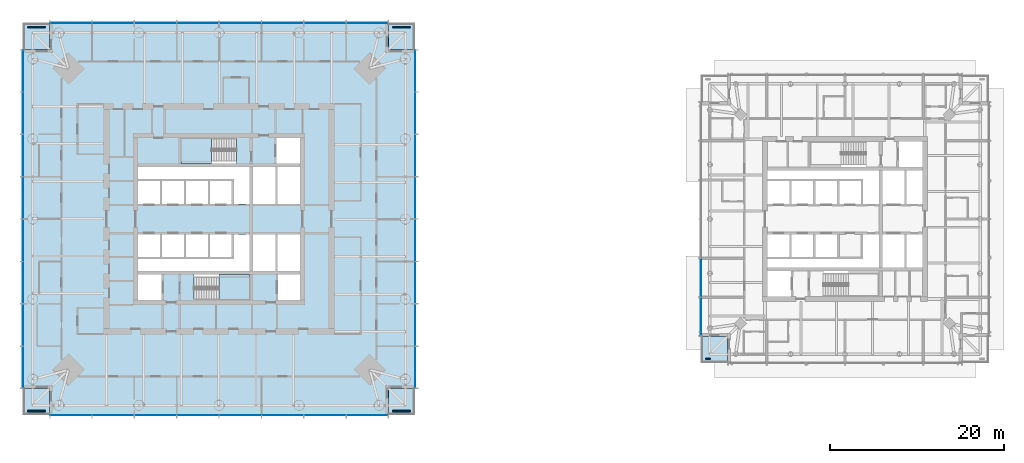
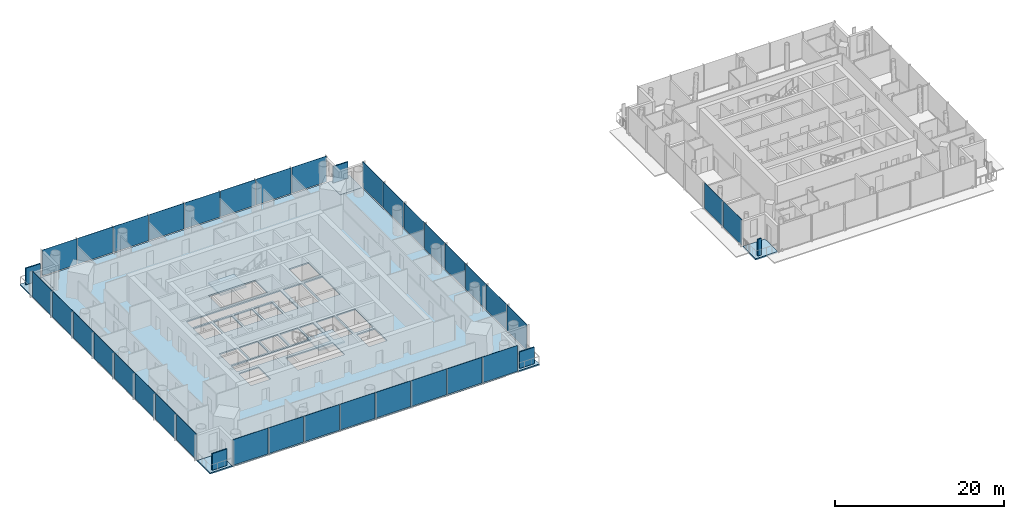
# One storey, part 6 of 20: 39 plates, 8 slabs, 7 elements without a shape of their own.
"""IFC4 building model written with IfcOpenShell, lengths in metres."""

from ifc_helpers import new_model, si_unit, direction, frame, origin, origin_2d, place, context, subcontext, project, spatial, polyline, rectangle, outline, extrude, material, layer, layer_set, type_object, element, aggregate, save


model = new_model("IFC4")

# Units and contexts
model_context = context("Model", 3, precision=1e-05, world=origin(), true_north=direction((0.0, 1.0)))
body_context = subcontext(model_context, "Body", "Model", "MODEL_VIEW")
ifc_project = project(units=[si_unit("LENGTHUNIT", "METRE"), si_unit("AREAUNIT", "SQUARE_METRE"), si_unit("VOLUMEUNIT", "CUBIC_METRE"), si_unit("PLANEANGLEUNIT", "RADIAN"), si_unit("MASSUNIT", "GRAM", prefix="KILO")], contexts=[model_context])

# Site, building, storey
site_placement = place(None, origin())
site = spatial("IfcSite", under=ifc_project, at=site_placement, CompositionType="ELEMENT")
building_placement = place(site_placement, origin())
building = spatial("IfcBuilding", under=site, at=building_placement, Name="Ostroluk Exchange", CompositionType="ELEMENT")
storey_placement = place(building_placement, frame((0.0, 0.0, 100.800048828125)))
storey = spatial("IfcBuildingStorey", under=building, at=storey_placement, Name="L25", CompositionType="ELEMENT", Elevation=100.800048828125)

# Curtain wall, plates
ifc_material_1 = material(Name="Laminated clear glass", Category="glass")
curtain_wall_type_1 = type_object("IfcCurtainWallType", Name="Hotel guest floor facade", PredefinedType="USERDEFINED", material=ifc_material_1)
curtain_wall_1_placement = place(storey_placement, origin())
curtain_wall_1 = element("IfcCurtainWall", 1, at=curtain_wall_1_placement, inside=storey, type_object=curtain_wall_type_1, Name="Hotel tower west facade L25", ObjectType="UNITISED CURTAIN WALL", PredefinedType="USERDEFINED")
ifc_material_2 = material(Name="Laminated clear glass", Category="glass")
ifc_layer_1 = layer(ifc_material_2, 0.0400390625)
ifc_layer_set_1 = layer_set([ifc_layer_1], Name="Acoustic laminated glazing 40")
plate_type_1 = type_object("IfcPlateType", Name="Acoustic laminated glazing 40", PredefinedType="CURTAIN_PANEL", material=ifc_layer_set_1)
plate_1_placement = place(storey_placement, frame((100.425048828125, 39.25, 0.080078125), z_axis=(0.0, 0.0, 1.0), x_axis=(0.0, -1.0, 0.0)))
plate_1 = element("IfcPlate", 2, at=plate_1_placement, type_object=plate_type_1, Name="CW-H1 panel 5.1", PredefinedType="CURTAIN_PANEL", context=body_context, shape_type="SweptSolid", body=[
    extrude(rectangle(XDim=4.419921875, YDim=0.0400390625, at=origin_2d()), origin(), (0.0, 0.0, 1.0), 3.719970703125),
])
plate_2_placement = place(storey_placement, frame((100.425048828125, 34.77001953125, 0.080078125), z_axis=(0.0, 0.0, 1.0), x_axis=(0.0, -1.0, 0.0)))
plate_2 = element("IfcPlate", 3, at=plate_2_placement, type_object=plate_type_1, Name="CW-H1 panel 6.1", PredefinedType="CURTAIN_PANEL", context=body_context, shape_type="SweptSolid", body=[
    extrude(rectangle(XDim=4.3798828125, YDim=0.0400390625, at=origin_2d()), origin(), (0.0, 0.0, 1.0), 3.719970703125),
])
aggregate(curtain_wall_1, [plate_1, plate_2])

# Slabs
ifc_material_3 = material(Name="Concrete C35/45", Category="concrete")
ifc_layer_2 = layer(ifc_material_3, 0.179931640625)
ifc_layer_set_2 = layer_set([ifc_layer_2], Name="Balcony slab 180")
slab_type_1 = type_object("IfcSlabType", Name="Balcony slab 180", PredefinedType="USERDEFINED", material=ifc_layer_set_2)
slab_1_placement = place(storey_placement, frame((0.0, 0.0, -0.179931640625)))
element("IfcSlab", 4, at=slab_1_placement, inside=storey, type_object=slab_type_1, Name="Office tower SE corner balcony L25", ObjectType="BALCONY", PredefinedType="USERDEFINED", context=body_context, shape_type="SweptSolid", body=[
    extrude(outline(polyline([(64.5, 23.5), (67.5, 23.5), (67.5, 26.5), (64.5, 26.5), (64.5, 23.5)])), origin(), (0.0, 0.0, 1.0), 0.179931640625),
])
slab_2_placement = place(storey_placement, frame((0.0, 0.0, -0.179931640625)))
element("IfcSlab", 5, at=slab_2_placement, inside=storey, type_object=slab_type_1, Name="Office tower NE corner balcony L25", ObjectType="BALCONY", PredefinedType="USERDEFINED", context=body_context, shape_type="SweptSolid", body=[
    extrude(outline(polyline([(64.5, 65.5), (67.5, 65.5), (67.5, 68.5), (64.5, 68.5), (64.5, 65.5)])), origin(), (0.0, 0.0, 1.0), 0.179931640625),
])
slab_3_placement = place(storey_placement, frame((0.0, 0.0, -0.179931640625)))
element("IfcSlab", 6, at=slab_3_placement, inside=storey, type_object=slab_type_1, Name="Office tower NW corner balcony L25", ObjectType="BALCONY", PredefinedType="USERDEFINED", context=body_context, shape_type="SweptSolid", body=[
    extrude(outline(polyline([(22.5, 65.5), (25.5, 65.5), (25.5, 68.5), (22.5, 68.5), (22.5, 65.5)])), origin(), (0.0, 0.0, 1.0), 0.179931640625),
])
slab_4_placement = place(storey_placement, frame((0.0, 0.0, -0.179931640625)))
element("IfcSlab", 7, at=slab_4_placement, inside=storey, type_object=slab_type_1, Name="Office tower SW corner balcony L25", ObjectType="BALCONY", PredefinedType="USERDEFINED", context=body_context, shape_type="SweptSolid", body=[
    extrude(outline(polyline([(22.5, 23.5), (25.5, 23.5), (25.5, 26.5), (22.5, 26.5), (22.5, 23.5)])), origin(), (0.0, 0.0, 1.0), 0.179931640625),
])
ifc_material_4 = material(Name="Concrete C35/45", Category="concrete")
ifc_layer_3 = layer(ifc_material_4, 0.199951171875)
ifc_layer_set_3 = layer_set([ifc_layer_3], Name="Balcony slab 200")
slab_type_2 = type_object("IfcSlabType", Name="Balcony slab 200", PredefinedType="USERDEFINED", material=ifc_layer_set_3)
slab_5_placement = place(storey_placement, frame((0.0, 0.0, -0.199951171875)))
element("IfcSlab", 8, at=slab_5_placement, inside=storey, type_object=slab_type_2, Name="Hotel tower SW corner balcony L25", ObjectType="BALCONY", PredefinedType="USERDEFINED", context=body_context, shape_type="SweptSolid", body=[
    extrude(outline(polyline([(100.5, 29.5), (103.5, 29.5), (103.5, 32.5), (100.5, 32.5), (100.5, 29.5)])), origin(), (0.0, 0.0, 1.0), 0.199951171875),
])

# Plates
ifc_material_5 = material(Name="Steel S355 trellis with planting", Category="steel")
ifc_layer_4 = layer(ifc_material_5, 0.14990234375)
ifc_layer_set_4 = layer_set([ifc_layer_4], Name="Planted screen 150")
plate_type_2 = type_object("IfcPlateType", Name="Planted screen 150", PredefinedType="USERDEFINED", material=ifc_layer_set_4)
for number, where, z_axis, x_axis, name in (
    (9, (66.0, 23.925048828125, 0.0), (0.0, 0.0, 1.0), (1.0, 0.0, 0.0), "Office tower SE planted screen L25"),
    (10, (66.0, 68.074951171875, 0.0), (0.0, 0.0, 1.0), (1.0, 0.0, 0.0), "Office tower NE planted screen L25"),
    (11, (24.0, 68.074951171875, 0.0), (0.0, 0.0, 1.0), (1.0, 0.0, 0.0), "Office tower NW planted screen L25"),
    (12, (24.0, 23.925048828125, 0.0), (0.0, 0.0, 1.0), (1.0, 0.0, 0.0), "Office tower SW planted screen L25"),
):
    element("IfcPlate", number, at=place(storey_placement, frame(where, z_axis=z_axis, x_axis=x_axis)), inside=storey, type_object=plate_type_2, Name=name, ObjectType="PLANTED SCREEN", PredefinedType="USERDEFINED", context=body_context, shape_type="SweptSolid", body=[
        extrude(rectangle(XDim=2.0, YDim=0.14990234375, at=origin_2d()), origin(), (0.0, 0.0, 1.0), 2.39990234375),
    ])
plate_3_placement = place(storey_placement, frame((101.25, 29.925048828125, 0.0), z_axis=(0.0, 0.0, 1.0), x_axis=(1.0, 0.0, 0.0)))
element("IfcPlate", 13, at=plate_3_placement, inside=storey, type_object=plate_type_2, Name="Hotel tower SW planted screen L25", ObjectType="PLANTED SCREEN", PredefinedType="USERDEFINED", context=body_context, shape_type="SweptSolid", body=[
    extrude(rectangle(XDim=0.5, YDim=0.14990234375, at=origin_2d()), origin(), (0.0, 0.0, 1.0), 2.39990234375),
])

# Stair, slab
ifc_material_6 = material(Name="Concrete C30/37", Category="concrete")
stair_type = type_object("IfcStairType", Name="Exit stair half turn 3800", PredefinedType="HALF_TURN_STAIR", material=ifc_material_6)
stair_1_placement = place(storey_placement, origin())
stair_1 = element("IfcStair", 14, at=stair_1_placement, inside=storey, type_object=stair_type, Name="Stair T1-S1 L25", PredefinedType="HALF_TURN_STAIR")
ifc_material_7 = material(Name="Concrete C30/37", Category="concrete")
ifc_layer_5 = layer(ifc_material_7, 0.199951171875)
ifc_layer_set_5 = layer_set([ifc_layer_5], Name="Stair landing 200")
slab_type_3 = type_object("IfcSlabType", Name="Stair landing 200", PredefinedType="LANDING", material=ifc_layer_set_5)
slab_6_placement = place(storey_placement, frame((0.0, 0.0, 1.699951171875)))
slab_6 = element("IfcSlab", 15, at=slab_6_placement, type_object=slab_type_3, Name="T1-S1 landing 1", PredefinedType="LANDING", context=body_context, shape_type="SweptSolid", body=[
    extrude(outline(polyline([(45.0, 36.699951171875), (45.0, 39.60009765625), (48.530029296875, 39.60009765625), (48.530029296875, 36.699951171875), (45.0, 36.699951171875)])), origin(), (0.0, 0.0, 1.0), 0.199951171875),
])
aggregate(stair_1, [slab_6])

stair_2_placement = place(storey_placement, origin())
stair_2 = element("IfcStair", 16, at=stair_2_placement, inside=storey, type_object=stair_type, Name="Stair T1-S2 L25", PredefinedType="HALF_TURN_STAIR")
slab_7_placement = place(storey_placement, frame((0.0, 0.0, 1.699951171875)))
slab_7 = element("IfcSlab", 17, at=slab_7_placement, type_object=slab_type_3, Name="T1-S2 landing 1", PredefinedType="LANDING", context=body_context, shape_type="SweptSolid", body=[
    extrude(outline(polyline([(44.1298828125, 52.39990234375), (44.1298828125, 55.300048828125), (40.60009765625, 55.300048828125), (40.60009765625, 52.39990234375), (44.1298828125, 52.39990234375)])), origin(), (0.0, 0.0, 1.0), 0.199951171875),
])
aggregate(stair_2, [slab_7])

# Slab
ifc_material_8 = material(Name="Concrete C35/45", Category="concrete")
ifc_layer_6 = layer(ifc_material_8, 0.179931640625)
ifc_layer_set_6 = layer_set([ifc_layer_6], Name="Tower floor slab 180 composite")
slab_type_4 = type_object("IfcSlabType", Name="Tower floor slab 180 composite", PredefinedType="FLOOR", material=ifc_layer_set_6)
slab_8_placement = place(storey_placement, frame((0.0, 0.0, -0.179931640625)))
element("IfcSlab", 18, at=slab_8_placement, inside=storey, type_object=slab_type_4, Name="Office tower floor slab L25", PredefinedType="FLOOR", context=body_context, shape_type="SweptSolid", body=[
    extrude(outline(polyline([(25.5, 23.5), (64.5, 23.5), (64.5, 26.5), (67.5, 26.5), (67.5, 65.5), (64.5, 65.5), (64.5, 68.5), (25.5, 68.5), (25.5, 65.5), (22.5, 65.5), (22.5, 26.5), (25.5, 26.5), (25.5, 23.5)]), holes=[polyline([(35.699951171875, 36.699951171875), (38.39990234375, 36.699951171875), (38.39990234375, 39.60009765625), (35.699951171875, 39.60009765625), (35.699951171875, 36.699951171875)]), polyline([(42.110107421875, 36.699951171875), (48.530029296875, 36.699951171875), (48.530029296875, 39.60009765625), (42.110107421875, 39.60009765625), (42.110107421875, 36.699951171875)]), polyline([(51.800048828125, 36.699951171875), (54.300048828125, 36.699951171875), (54.300048828125, 39.60009765625), (51.800048828125, 39.60009765625), (51.800048828125, 36.699951171875)]), polyline([(40.60009765625, 52.39990234375), (47.02001953125, 52.39990234375), (47.02001953125, 55.300048828125), (40.60009765625, 55.300048828125), (40.60009765625, 52.39990234375)]), polyline([(51.60009765625, 52.39990234375), (54.300048828125, 52.39990234375), (54.300048828125, 55.300048828125), (51.60009765625, 55.300048828125), (51.60009765625, 52.39990234375)]), polyline([(35.699951171875, 47.75), (38.199951171875, 47.75), (38.199951171875, 50.35009765625), (35.699951171875, 50.35009765625), (35.699951171875, 47.75)]), polyline([(38.449951171875, 47.75), (40.949951171875, 47.75), (40.949951171875, 50.35009765625), (38.449951171875, 50.35009765625), (38.449951171875, 47.75)]), polyline([(41.199951171875, 47.75), (43.699951171875, 47.75), (43.699951171875, 50.35009765625), (41.199951171875, 50.35009765625), (41.199951171875, 47.75)]), polyline([(43.949951171875, 47.75), (46.449951171875, 47.75), (46.449951171875, 50.35009765625), (43.949951171875, 50.35009765625), (43.949951171875, 47.75)]), polyline([(35.699951171875, 41.64990234375), (38.199951171875, 41.64990234375), (38.199951171875, 44.25), (35.699951171875, 44.25), (35.699951171875, 41.64990234375)]), polyline([(38.449951171875, 41.64990234375), (40.949951171875, 41.64990234375), (40.949951171875, 44.25), (38.449951171875, 44.25), (38.449951171875, 41.64990234375)]), polyline([(41.199951171875, 41.64990234375), (43.699951171875, 41.64990234375), (43.699951171875, 44.25), (41.199951171875, 44.25), (41.199951171875, 41.64990234375)]), polyline([(43.949951171875, 41.64990234375), (46.449951171875, 41.64990234375), (46.449951171875, 44.25), (43.949951171875, 44.25), (43.949951171875, 41.64990234375)]), polyline([(48.929931640625, 47.75), (51.489990234375, 47.75), (51.489990234375, 52.0), (48.929931640625, 52.0), (48.929931640625, 47.75)]), polyline([(51.739990234375, 47.75), (54.300048828125, 47.75), (54.300048828125, 52.0), (51.739990234375, 52.0), (51.739990234375, 47.75)]), polyline([(48.929931640625, 40.0), (51.489990234375, 40.0), (51.489990234375, 44.25), (48.929931640625, 44.25), (48.929931640625, 40.0)]), polyline([(51.739990234375, 40.0), (54.300048828125, 40.0), (54.300048828125, 44.25), (51.739990234375, 44.25), (51.739990234375, 40.0)]), polyline([(48.530029296875, 52.0), (48.530029296875, 47.75), (46.699951171875, 47.75), (46.699951171875, 50.60009765625), (35.699951171875, 50.60009765625), (35.699951171875, 52.0), (48.530029296875, 52.0)]), polyline([(35.699951171875, 40.0), (35.699951171875, 41.39990234375), (46.699951171875, 41.39990234375), (46.699951171875, 44.25), (48.530029296875, 44.25), (48.530029296875, 40.0), (35.699951171875, 40.0)])]), origin(), (0.0, 0.0, 1.0), 0.179931640625),
])

# Curtain wall, plates
ifc_material_9 = material(Name="Laminated clear glass", Category="glass")
curtain_wall_type_2 = type_object("IfcCurtainWallType", Name="Office tower facade", PredefinedType="USERDEFINED", material=ifc_material_9)
curtain_wall_2_placement = place(storey_placement, origin())
curtain_wall_2 = element("IfcCurtainWall", 19, at=curtain_wall_2_placement, inside=storey, type_object=curtain_wall_type_2, Name="Office tower south facade L25", ObjectType="UNITISED CURTAIN WALL", PredefinedType="USERDEFINED")
ifc_material_10 = material(Name="Laminated clear glass", Category="glass")
ifc_layer_7 = layer(ifc_material_10, 0.0439453125)
ifc_layer_set_7 = layer_set([ifc_layer_7], Name="Triple laminated clear glazing 44")
plate_type_3 = type_object("IfcPlateType", Name="Triple laminated clear glazing 44", PredefinedType="CURTAIN_PANEL", material=ifc_layer_set_7)
plate_4_placement = place(storey_placement, frame((27.95751953125, 23.425048828125, 0.080078125), z_axis=(0.0, 0.0, 1.0), x_axis=(1.0, 0.0, 0.0)))
plate_4 = element("IfcPlate", 20, at=plate_4_placement, type_object=plate_type_3, Name="CW-O1 panel 1.1", PredefinedType="CURTAIN_PANEL", context=body_context, shape_type="SweptSolid", body=[
    extrude(rectangle(XDim=4.7548828125, YDim=0.0439453125, at=origin_2d()), origin(), (0.0, 0.0, 1.0), 3.719970703125),
])
plate_5_placement = place(storey_placement, frame((32.8125, 23.425048828125, 0.080078125), z_axis=(0.0, 0.0, 1.0), x_axis=(1.0, 0.0, 0.0)))
plate_5 = element("IfcPlate", 21, at=plate_5_placement, type_object=plate_type_3, Name="CW-O1 panel 2.1", PredefinedType="CURTAIN_PANEL", context=body_context, shape_type="SweptSolid", body=[
    extrude(rectangle(XDim=4.794921875, YDim=0.0439453125, at=origin_2d()), origin(), (0.0, 0.0, 1.0), 3.719970703125),
])
plate_6_placement = place(storey_placement, frame((37.6875, 23.425048828125, 0.080078125), z_axis=(0.0, 0.0, 1.0), x_axis=(1.0, 0.0, 0.0)))
plate_6 = element("IfcPlate", 22, at=plate_6_placement, type_object=plate_type_3, Name="CW-O1 panel 3.1", PredefinedType="CURTAIN_PANEL", context=body_context, shape_type="SweptSolid", body=[
    extrude(rectangle(XDim=4.794921875, YDim=0.0439453125, at=origin_2d()), origin(), (0.0, 0.0, 1.0), 3.719970703125),
])
plate_7_placement = place(storey_placement, frame((42.5625, 23.425048828125, 0.080078125), z_axis=(0.0, 0.0, 1.0), x_axis=(1.0, 0.0, 0.0)))
plate_7 = element("IfcPlate", 23, at=plate_7_placement, type_object=plate_type_3, Name="CW-O1 panel 4.1", PredefinedType="CURTAIN_PANEL", context=body_context, shape_type="SweptSolid", body=[
    extrude(rectangle(XDim=4.794921875, YDim=0.0439453125, at=origin_2d()), origin(), (0.0, 0.0, 1.0), 3.719970703125),
])
plate_8_placement = place(storey_placement, frame((47.4375, 23.425048828125, 0.080078125), z_axis=(0.0, 0.0, 1.0), x_axis=(1.0, 0.0, 0.0)))
plate_8 = element("IfcPlate", 24, at=plate_8_placement, type_object=plate_type_3, Name="CW-O1 panel 5.1", PredefinedType="CURTAIN_PANEL", context=body_context, shape_type="SweptSolid", body=[
    extrude(rectangle(XDim=4.794921875, YDim=0.0439453125, at=origin_2d()), origin(), (0.0, 0.0, 1.0), 3.719970703125),
])
plate_9_placement = place(storey_placement, frame((52.3125, 23.425048828125, 0.080078125), z_axis=(0.0, 0.0, 1.0), x_axis=(1.0, 0.0, 0.0)))
plate_9 = element("IfcPlate", 25, at=plate_9_placement, type_object=plate_type_3, Name="CW-O1 panel 6.1", PredefinedType="CURTAIN_PANEL", context=body_context, shape_type="SweptSolid", body=[
    extrude(rectangle(XDim=4.794921875, YDim=0.0439453125, at=origin_2d()), origin(), (0.0, 0.0, 1.0), 3.719970703125),
])
plate_10_placement = place(storey_placement, frame((57.1875, 23.425048828125, 0.080078125), z_axis=(0.0, 0.0, 1.0), x_axis=(1.0, 0.0, 0.0)))
plate_10 = element("IfcPlate", 26, at=plate_10_placement, type_object=plate_type_3, Name="CW-O1 panel 7.1", PredefinedType="CURTAIN_PANEL", context=body_context, shape_type="SweptSolid", body=[
    extrude(rectangle(XDim=4.794921875, YDim=0.0439453125, at=origin_2d()), origin(), (0.0, 0.0, 1.0), 3.719970703125),
])
plate_11_placement = place(storey_placement, frame((62.04248046875, 23.425048828125, 0.080078125), z_axis=(0.0, 0.0, 1.0), x_axis=(1.0, 0.0, 0.0)))
plate_11 = element("IfcPlate", 27, at=plate_11_placement, type_object=plate_type_3, Name="CW-O1 panel 8.1", PredefinedType="CURTAIN_PANEL", context=body_context, shape_type="SweptSolid", body=[
    extrude(rectangle(XDim=4.7548828125, YDim=0.0439453125, at=origin_2d()), origin(), (0.0, 0.0, 1.0), 3.719970703125),
])
aggregate(curtain_wall_2, [plate_4, plate_5, plate_6, plate_7, plate_8, plate_9, plate_10, plate_11])

curtain_wall_3_placement = place(storey_placement, origin())
curtain_wall_3 = element("IfcCurtainWall", 28, at=curtain_wall_3_placement, inside=storey, type_object=curtain_wall_type_2, Name="Office tower east facade L25", ObjectType="UNITISED CURTAIN WALL", PredefinedType="USERDEFINED")
plate_12_placement = place(storey_placement, frame((67.574951171875, 28.95751953125, 0.080078125), z_axis=(0.0, 0.0, 1.0), x_axis=(0.0, 1.0, 0.0)))
plate_12 = element("IfcPlate", 29, at=plate_12_placement, type_object=plate_type_3, Name="CW-O1 panel 1.1", PredefinedType="CURTAIN_PANEL", context=body_context, shape_type="SweptSolid", body=[
    extrude(rectangle(XDim=4.7548828125, YDim=0.0439453125, at=origin_2d()), origin(), (0.0, 0.0, 1.0), 3.719970703125),
])
plate_13_placement = place(storey_placement, frame((67.574951171875, 33.8125, 0.080078125), z_axis=(0.0, 0.0, 1.0), x_axis=(0.0, 1.0, 0.0)))
plate_13 = element("IfcPlate", 30, at=plate_13_placement, type_object=plate_type_3, Name="CW-O1 panel 2.1", PredefinedType="CURTAIN_PANEL", context=body_context, shape_type="SweptSolid", body=[
    extrude(rectangle(XDim=4.794921875, YDim=0.0439453125, at=origin_2d()), origin(), (0.0, 0.0, 1.0), 3.719970703125),
])
plate_14_placement = place(storey_placement, frame((67.574951171875, 38.6875, 0.080078125), z_axis=(0.0, 0.0, 1.0), x_axis=(0.0, 1.0, 0.0)))
plate_14 = element("IfcPlate", 31, at=plate_14_placement, type_object=plate_type_3, Name="CW-O1 panel 3.1", PredefinedType="CURTAIN_PANEL", context=body_context, shape_type="SweptSolid", body=[
    extrude(rectangle(XDim=4.794921875, YDim=0.0439453125, at=origin_2d()), origin(), (0.0, 0.0, 1.0), 3.719970703125),
])
plate_15_placement = place(storey_placement, frame((67.574951171875, 43.5625, 0.080078125), z_axis=(0.0, 0.0, 1.0), x_axis=(0.0, 1.0, 0.0)))
plate_15 = element("IfcPlate", 32, at=plate_15_placement, type_object=plate_type_3, Name="CW-O1 panel 4.1", PredefinedType="CURTAIN_PANEL", context=body_context, shape_type="SweptSolid", body=[
    extrude(rectangle(XDim=4.794921875, YDim=0.0439453125, at=origin_2d()), origin(), (0.0, 0.0, 1.0), 3.719970703125),
])
plate_16_placement = place(storey_placement, frame((67.574951171875, 48.4375, 0.080078125), z_axis=(0.0, 0.0, 1.0), x_axis=(0.0, 1.0, 0.0)))
plate_16 = element("IfcPlate", 33, at=plate_16_placement, type_object=plate_type_3, Name="CW-O1 panel 5.1", PredefinedType="CURTAIN_PANEL", context=body_context, shape_type="SweptSolid", body=[
    extrude(rectangle(XDim=4.794921875, YDim=0.0439453125, at=origin_2d()), origin(), (0.0, 0.0, 1.0), 3.719970703125),
])
plate_17_placement = place(storey_placement, frame((67.574951171875, 53.3125, 0.080078125), z_axis=(0.0, 0.0, 1.0), x_axis=(0.0, 1.0, 0.0)))
plate_17 = element("IfcPlate", 34, at=plate_17_placement, type_object=plate_type_3, Name="CW-O1 panel 6.1", PredefinedType="CURTAIN_PANEL", context=body_context, shape_type="SweptSolid", body=[
    extrude(rectangle(XDim=4.794921875, YDim=0.0439453125, at=origin_2d()), origin(), (0.0, 0.0, 1.0), 3.719970703125),
])
plate_18_placement = place(storey_placement, frame((67.574951171875, 58.1875, 0.080078125), z_axis=(0.0, 0.0, 1.0), x_axis=(0.0, 1.0, 0.0)))
plate_18 = element("IfcPlate", 35, at=plate_18_placement, type_object=plate_type_3, Name="CW-O1 panel 7.1", PredefinedType="CURTAIN_PANEL", context=body_context, shape_type="SweptSolid", body=[
    extrude(rectangle(XDim=4.794921875, YDim=0.0439453125, at=origin_2d()), origin(), (0.0, 0.0, 1.0), 3.719970703125),
])
plate_19_placement = place(storey_placement, frame((67.574951171875, 63.04248046875, 0.080078125), z_axis=(0.0, 0.0, 1.0), x_axis=(0.0, 1.0, 0.0)))
plate_19 = element("IfcPlate", 36, at=plate_19_placement, type_object=plate_type_3, Name="CW-O1 panel 8.1", PredefinedType="CURTAIN_PANEL", context=body_context, shape_type="SweptSolid", body=[
    extrude(rectangle(XDim=4.7548828125, YDim=0.0439453125, at=origin_2d()), origin(), (0.0, 0.0, 1.0), 3.719970703125),
])
aggregate(curtain_wall_3, [plate_12, plate_13, plate_14, plate_15, plate_16, plate_17, plate_18, plate_19])

curtain_wall_4_placement = place(storey_placement, origin())
curtain_wall_4 = element("IfcCurtainWall", 37, at=curtain_wall_4_placement, inside=storey, type_object=curtain_wall_type_2, Name="Office tower north facade L25", ObjectType="UNITISED CURTAIN WALL", PredefinedType="USERDEFINED")
plate_20_placement = place(storey_placement, frame((62.04248046875, 68.574951171875, 0.080078125), z_axis=(0.0, 0.0, 1.0), x_axis=(-1.0, 0.0, 0.0)))
plate_20 = element("IfcPlate", 38, at=plate_20_placement, type_object=plate_type_3, Name="CW-O1 panel 1.1", PredefinedType="CURTAIN_PANEL", context=body_context, shape_type="SweptSolid", body=[
    extrude(rectangle(XDim=4.7548828125, YDim=0.0439453125, at=origin_2d()), origin(), (0.0, 0.0, 1.0), 3.719970703125),
])
plate_21_placement = place(storey_placement, frame((57.1875, 68.574951171875, 0.080078125), z_axis=(0.0, 0.0, 1.0), x_axis=(-1.0, 0.0, 0.0)))
plate_21 = element("IfcPlate", 39, at=plate_21_placement, type_object=plate_type_3, Name="CW-O1 panel 2.1", PredefinedType="CURTAIN_PANEL", context=body_context, shape_type="SweptSolid", body=[
    extrude(rectangle(XDim=4.794921875, YDim=0.0439453125, at=origin_2d()), origin(), (0.0, 0.0, 1.0), 3.719970703125),
])
plate_22_placement = place(storey_placement, frame((52.3125, 68.574951171875, 0.080078125), z_axis=(0.0, 0.0, 1.0), x_axis=(-1.0, 0.0, 0.0)))
plate_22 = element("IfcPlate", 40, at=plate_22_placement, type_object=plate_type_3, Name="CW-O1 panel 3.1", PredefinedType="CURTAIN_PANEL", context=body_context, shape_type="SweptSolid", body=[
    extrude(rectangle(XDim=4.794921875, YDim=0.0439453125, at=origin_2d()), origin(), (0.0, 0.0, 1.0), 3.719970703125),
])
plate_23_placement = place(storey_placement, frame((47.4375, 68.574951171875, 0.080078125), z_axis=(0.0, 0.0, 1.0), x_axis=(-1.0, 0.0, 0.0)))
plate_23 = element("IfcPlate", 41, at=plate_23_placement, type_object=plate_type_3, Name="CW-O1 panel 4.1", PredefinedType="CURTAIN_PANEL", context=body_context, shape_type="SweptSolid", body=[
    extrude(rectangle(XDim=4.794921875, YDim=0.0439453125, at=origin_2d()), origin(), (0.0, 0.0, 1.0), 3.719970703125),
])
plate_24_placement = place(storey_placement, frame((42.5625, 68.574951171875, 0.080078125), z_axis=(0.0, 0.0, 1.0), x_axis=(-1.0, 0.0, 0.0)))
plate_24 = element("IfcPlate", 42, at=plate_24_placement, type_object=plate_type_3, Name="CW-O1 panel 5.1", PredefinedType="CURTAIN_PANEL", context=body_context, shape_type="SweptSolid", body=[
    extrude(rectangle(XDim=4.794921875, YDim=0.0439453125, at=origin_2d()), origin(), (0.0, 0.0, 1.0), 3.719970703125),
])
plate_25_placement = place(storey_placement, frame((37.6875, 68.574951171875, 0.080078125), z_axis=(0.0, 0.0, 1.0), x_axis=(-1.0, 0.0, 0.0)))
plate_25 = element("IfcPlate", 43, at=plate_25_placement, type_object=plate_type_3, Name="CW-O1 panel 6.1", PredefinedType="CURTAIN_PANEL", context=body_context, shape_type="SweptSolid", body=[
    extrude(rectangle(XDim=4.794921875, YDim=0.0439453125, at=origin_2d()), origin(), (0.0, 0.0, 1.0), 3.719970703125),
])
plate_26_placement = place(storey_placement, frame((32.8125, 68.574951171875, 0.080078125), z_axis=(0.0, 0.0, 1.0), x_axis=(-1.0, 0.0, 0.0)))
plate_26 = element("IfcPlate", 44, at=plate_26_placement, type_object=plate_type_3, Name="CW-O1 panel 7.1", PredefinedType="CURTAIN_PANEL", context=body_context, shape_type="SweptSolid", body=[
    extrude(rectangle(XDim=4.794921875, YDim=0.0439453125, at=origin_2d()), origin(), (0.0, 0.0, 1.0), 3.719970703125),
])
plate_27_placement = place(storey_placement, frame((27.95751953125, 68.574951171875, 0.080078125), z_axis=(0.0, 0.0, 1.0), x_axis=(-1.0, 0.0, 0.0)))
plate_27 = element("IfcPlate", 45, at=plate_27_placement, type_object=plate_type_3, Name="CW-O1 panel 8.1", PredefinedType="CURTAIN_PANEL", context=body_context, shape_type="SweptSolid", body=[
    extrude(rectangle(XDim=4.7548828125, YDim=0.0439453125, at=origin_2d()), origin(), (0.0, 0.0, 1.0), 3.719970703125),
])
aggregate(curtain_wall_4, [plate_20, plate_21, plate_22, plate_23, plate_24, plate_25, plate_26, plate_27])

curtain_wall_5_placement = place(storey_placement, origin())
curtain_wall_5 = element("IfcCurtainWall", 46, at=curtain_wall_5_placement, inside=storey, type_object=curtain_wall_type_2, Name="Office tower west facade L25", ObjectType="UNITISED CURTAIN WALL", PredefinedType="USERDEFINED")
plate_28_placement = place(storey_placement, frame((22.425048828125, 63.04248046875, 0.080078125), z_axis=(0.0, 0.0, 1.0), x_axis=(0.0, -1.0, 0.0)))
plate_28 = element("IfcPlate", 47, at=plate_28_placement, type_object=plate_type_3, Name="CW-O1 panel 1.1", PredefinedType="CURTAIN_PANEL", context=body_context, shape_type="SweptSolid", body=[
    extrude(rectangle(XDim=4.7548828125, YDim=0.0439453125, at=origin_2d()), origin(), (0.0, 0.0, 1.0), 3.719970703125),
])
plate_29_placement = place(storey_placement, frame((22.425048828125, 58.1875, 0.080078125), z_axis=(0.0, 0.0, 1.0), x_axis=(0.0, -1.0, 0.0)))
plate_29 = element("IfcPlate", 48, at=plate_29_placement, type_object=plate_type_3, Name="CW-O1 panel 2.1", PredefinedType="CURTAIN_PANEL", context=body_context, shape_type="SweptSolid", body=[
    extrude(rectangle(XDim=4.794921875, YDim=0.0439453125, at=origin_2d()), origin(), (0.0, 0.0, 1.0), 3.719970703125),
])
plate_30_placement = place(storey_placement, frame((22.425048828125, 53.3125, 0.080078125), z_axis=(0.0, 0.0, 1.0), x_axis=(0.0, -1.0, 0.0)))
plate_30 = element("IfcPlate", 49, at=plate_30_placement, type_object=plate_type_3, Name="CW-O1 panel 3.1", PredefinedType="CURTAIN_PANEL", context=body_context, shape_type="SweptSolid", body=[
    extrude(rectangle(XDim=4.794921875, YDim=0.0439453125, at=origin_2d()), origin(), (0.0, 0.0, 1.0), 3.719970703125),
])
plate_31_placement = place(storey_placement, frame((22.425048828125, 48.4375, 0.080078125), z_axis=(0.0, 0.0, 1.0), x_axis=(0.0, -1.0, 0.0)))
plate_31 = element("IfcPlate", 50, at=plate_31_placement, type_object=plate_type_3, Name="CW-O1 panel 4.1", PredefinedType="CURTAIN_PANEL", context=body_context, shape_type="SweptSolid", body=[
    extrude(rectangle(XDim=4.794921875, YDim=0.0439453125, at=origin_2d()), origin(), (0.0, 0.0, 1.0), 3.719970703125),
])
plate_32_placement = place(storey_placement, frame((22.425048828125, 43.5625, 0.080078125), z_axis=(0.0, 0.0, 1.0), x_axis=(0.0, -1.0, 0.0)))
plate_32 = element("IfcPlate", 51, at=plate_32_placement, type_object=plate_type_3, Name="CW-O1 panel 5.1", PredefinedType="CURTAIN_PANEL", context=body_context, shape_type="SweptSolid", body=[
    extrude(rectangle(XDim=4.794921875, YDim=0.0439453125, at=origin_2d()), origin(), (0.0, 0.0, 1.0), 3.719970703125),
])
plate_33_placement = place(storey_placement, frame((22.425048828125, 38.6875, 0.080078125), z_axis=(0.0, 0.0, 1.0), x_axis=(0.0, -1.0, 0.0)))
plate_33 = element("IfcPlate", 52, at=plate_33_placement, type_object=plate_type_3, Name="CW-O1 panel 6.1", PredefinedType="CURTAIN_PANEL", context=body_context, shape_type="SweptSolid", body=[
    extrude(rectangle(XDim=4.794921875, YDim=0.0439453125, at=origin_2d()), origin(), (0.0, 0.0, 1.0), 3.719970703125),
])
plate_34_placement = place(storey_placement, frame((22.425048828125, 33.8125, 0.080078125), z_axis=(0.0, 0.0, 1.0), x_axis=(0.0, -1.0, 0.0)))
plate_34 = element("IfcPlate", 53, at=plate_34_placement, type_object=plate_type_3, Name="CW-O1 panel 7.1", PredefinedType="CURTAIN_PANEL", context=body_context, shape_type="SweptSolid", body=[
    extrude(rectangle(XDim=4.794921875, YDim=0.0439453125, at=origin_2d()), origin(), (0.0, 0.0, 1.0), 3.719970703125),
])
plate_35_placement = place(storey_placement, frame((22.425048828125, 28.95751953125, 0.080078125), z_axis=(0.0, 0.0, 1.0), x_axis=(0.0, -1.0, 0.0)))
plate_35 = element("IfcPlate", 54, at=plate_35_placement, type_object=plate_type_3, Name="CW-O1 panel 8.1", PredefinedType="CURTAIN_PANEL", context=body_context, shape_type="SweptSolid", body=[
    extrude(rectangle(XDim=4.7548828125, YDim=0.0439453125, at=origin_2d()), origin(), (0.0, 0.0, 1.0), 3.719970703125),
])
aggregate(curtain_wall_5, [plate_28, plate_29, plate_30, plate_31, plate_32, plate_33, plate_34, plate_35])

save(model, "model.ifc")
